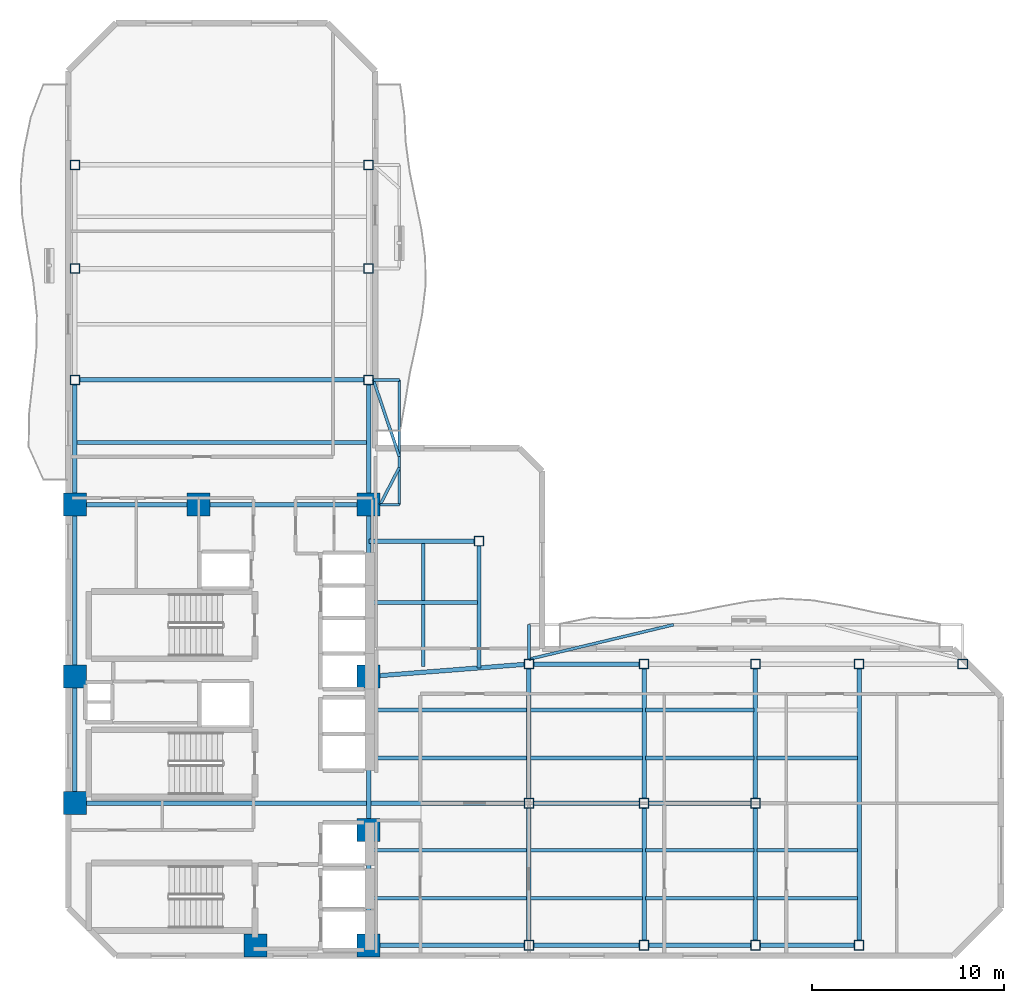
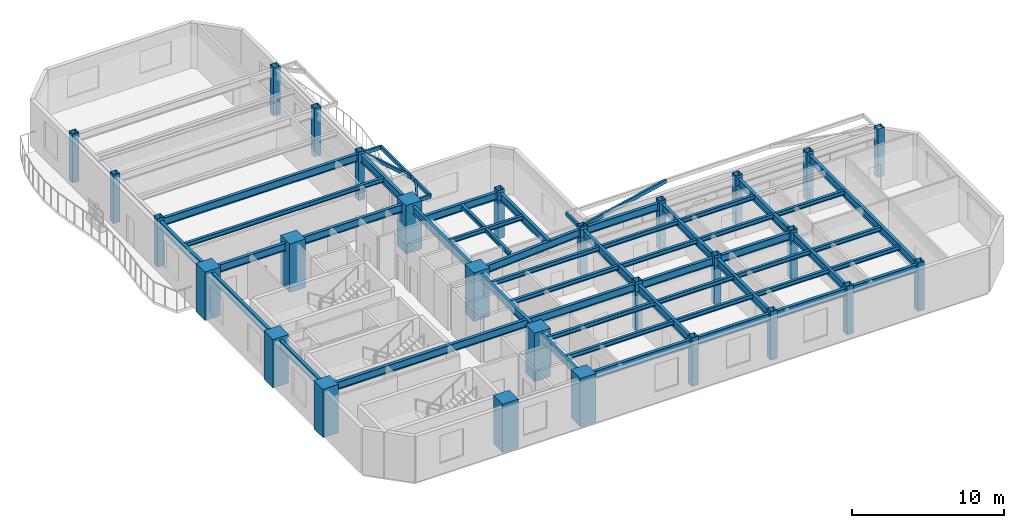
# One storey, part 1 of 9: 53 beams, 28 columns.
"""IFC4 building model written with IfcOpenShell, lengths in metres."""

from ifc_helpers import new_model, si_unit, direction, frame, origin, origin_2d, place, context, subcontext, project, spatial, rectangle, hollow_rectangle, i_section, extrude, material, material_profile, profile_set, type_object, element, save


model = new_model("IFC4")

# Units and contexts
model_context = context("Model", 3, precision=1e-05, world=origin(), true_north=direction((0.0, 1.0)))
body_context = subcontext(model_context, "Body", "Model", "MODEL_VIEW")
ifc_project = project(units=[si_unit("LENGTHUNIT", "METRE"), si_unit("AREAUNIT", "SQUARE_METRE"), si_unit("VOLUMEUNIT", "CUBIC_METRE"), si_unit("PLANEANGLEUNIT", "RADIAN"), si_unit("MASSUNIT", "GRAM", prefix="KILO")], contexts=[model_context])

# Site, building, storey
site_placement = place(None, origin())
site = spatial("IfcSite", under=ifc_project, at=site_placement, CompositionType="ELEMENT")
building_placement = place(site_placement, origin())
building = spatial("IfcBuilding", under=site, at=building_placement, Name="Mawjaban Terraces University", CompositionType="ELEMENT")
storey_placement = place(building_placement, frame((0.0, 0.0, 138.5)))
storey = spatial("IfcBuildingStorey", under=building, at=storey_placement, Name="L33", CompositionType="ELEMENT", Elevation=138.5)

# Columns
ifc_material_1 = material(Name="Concrete C60/75", Category="concrete")
ifc_material_profile_1 = material_profile(ifc_material_1, rectangle(XDim=1.199951171875, YDim=1.199951171875, at=origin_2d()), Name="RC1200X1200")
ifc_profile_set_1 = profile_set([ifc_material_profile_1], Name="Concrete C60/75")
column_type_1 = type_object("IfcColumnType", Name="Col_RC1200X1200", PredefinedType="COLUMN", material=ifc_profile_set_1)
for number, where, z_axis, x_axis, name in (
    (1, (31.75, 0.550048828125, 0.0), (0.0, 0.0, 1.0), (1.0, 0.0, 0.0), "L33 Column CC2"),
    (2, (37.64990234375, 0.550048828125, 0.0), (0.0, 0.0, 1.0), (1.0, 0.0, 0.0), "L33 Column CC3"),
    (3, (22.35009765625, 7.949951171875, 0.0), (0.0, 0.0, 1.0), (1.0, 0.0, 0.0), "L33 Column CC4"),
    (4, (37.64990234375, 6.550048828125, 0.0), (0.0, 0.0, 1.0), (1.0, 0.0, 0.0), "L33 Column CC5"),
    (5, (22.35009765625, 14.550048828125, 0.0), (0.0, 0.0, 1.0), (1.0, 0.0, 0.0), "L33 Column CC6"),
    (6, (37.64990234375, 14.550048828125, 0.0), (0.0, 0.0, 1.0), (1.0, 0.0, 0.0), "L33 Column CC7"),
    (7, (22.35009765625, 23.5, 0.0), (0.0, 0.0, 1.0), (1.0, 0.0, 0.0), "L33 Column CC8"),
    (8, (28.800048828125, 23.5, 0.0), (0.0, 0.0, 1.0), (1.0, 0.0, 0.0), "L33 Column CC9"),
    (9, (37.64990234375, 23.5, 0.0), (0.0, 0.0, 1.0), (1.0, 0.0, 0.0), "L33 Column CC10"),
):
    element("IfcColumn", number, at=place(storey_placement, frame(where, z_axis=z_axis, x_axis=x_axis)), inside=storey, type_object=column_type_1, Name=name, PredefinedType="COLUMN", context=body_context, shape_type="SweptSolid", body=[
        extrude(rectangle(XDim=1.199951171875, YDim=1.199951171875, at=origin_2d()), origin(), (0.0, 0.0, 1.0), 3.89990234375),
    ])
ifc_material_2 = material(Name="Steel EN 10210-1 S355J2H", Category="steel")
ifc_material_profile_2 = material_profile(ifc_material_2, hollow_rectangle(XDim=0.5, YDim=0.5, WallThickness=0.02490234375, at=origin_2d()), Name="SHS500X500X25")
ifc_profile_set_2 = profile_set([ifc_material_profile_2], Name="Steel EN 10210-1 S355J2H")
column_type_2 = type_object("IfcColumnType", Name="Col_SHS500X500X25", PredefinedType="COLUMN", material=ifc_profile_set_2)
for number, where, z_axis, x_axis, name in (
    (10, (46.0, 0.550048828125, 0.0), (0.0, 0.0, 1.0), (1.0, 0.0, 0.0), "L33 Column TE-460-005"),
    (11, (46.0, 7.949951171875, 0.0), (0.0, 0.0, 1.0), (1.0, 0.0, 0.0), "L33 Column TE-460-080"),
    (12, (46.0, 15.199951171875, 0.0), (0.0, 0.0, 1.0), (1.0, 0.0, 0.0), "L33 Column TE-460-152"),
    (13, (52.0, 0.550048828125, 0.0), (0.0, 0.0, 1.0), (1.0, 0.0, 0.0), "L33 Column TE-520-005"),
    (14, (52.0, 7.949951171875, 0.0), (0.0, 0.0, 1.0), (1.0, 0.0, 0.0), "L33 Column TE-520-080"),
    (15, (52.0, 15.199951171875, 0.0), (0.0, 0.0, 1.0), (1.0, 0.0, 0.0), "L33 Column TE-520-152"),
    (16, (57.800048828125, 0.550048828125, 0.0), (0.0, 0.0, 1.0), (1.0, 0.0, 0.0), "L33 Column TE-578-005"),
    (17, (57.800048828125, 7.949951171875, 0.0), (0.0, 0.0, 1.0), (1.0, 0.0, 0.0), "L33 Column TE-578-080"),
    (18, (57.800048828125, 15.199951171875, 0.0), (0.0, 0.0, 1.0), (1.0, 0.0, 0.0), "L33 Column TE-578-152"),
    (19, (63.199951171875, 0.550048828125, 0.0), (0.0, 0.0, 1.0), (1.0, 0.0, 0.0), "L33 Column TE-632-005"),
    (20, (63.199951171875, 15.199951171875, 0.0), (0.0, 0.0, 1.0), (1.0, 0.0, 0.0), "L33 Column TE-632-152"),
    (21, (68.60009765625, 15.199951171875, 0.0), (0.0, 0.0, 1.0), (1.0, 0.0, 0.0), "L33 Column TE-686-152"),
    (22, (22.35009765625, 30.0, 0.0), (0.0, 0.0, 1.0), (1.0, 0.0, 0.0), "L33 Column TN-223-300"),
    (23, (37.64990234375, 30.0, 0.0), (0.0, 0.0, 1.0), (1.0, 0.0, 0.0), "L33 Column TN-376-300"),
    (24, (22.35009765625, 35.800048828125, 0.0), (0.0, 0.0, 1.0), (1.0, 0.0, 0.0), "L33 Column TN-223-358"),
    (25, (37.64990234375, 35.800048828125, 0.0), (0.0, 0.0, 1.0), (1.0, 0.0, 0.0), "L33 Column TN-376-358"),
    (26, (22.35009765625, 41.199951171875, 0.0), (0.0, 0.0, 1.0), (1.0, 0.0, 0.0), "L33 Column TN-223-412"),
    (27, (37.64990234375, 41.199951171875, 0.0), (0.0, 0.0, 1.0), (1.0, 0.0, 0.0), "L33 Column TN-376-412"),
    (28, (43.39990234375, 21.60009765625, 0.0), (0.0, 0.0, 1.0), (1.0, 0.0, 0.0), "L33 Column TS-434-216"),
):
    element("IfcColumn", number, at=place(storey_placement, frame(where, z_axis=z_axis, x_axis=x_axis)), inside=storey, type_object=column_type_2, Name=name, PredefinedType="COLUMN", context=body_context, shape_type="SweptSolid", body=[
        extrude(hollow_rectangle(XDim=0.5, YDim=0.5, WallThickness=0.02490234375, at=origin_2d()), origin(), (0.0, 0.0, 1.0), 3.89990234375),
    ])

# Beams
ifc_material_profile_3 = material_profile(ifc_material_2, hollow_rectangle(XDim=0.14990234375, YDim=0.300048828125, WallThickness=0.012451171875, at=origin_2d()), Name="RHS300X150X12.5")
ifc_profile_set_3 = profile_set([ifc_material_profile_3], Name="Steel EN 10210-1 S355J2H")
beam_type_1 = type_object("IfcBeamType", Name="BalconyCantileverSpandrel_RHS", PredefinedType="SPANDREL", material=ifc_profile_set_3)
beam_1_placement = place(storey_placement, frame((46.0, 15.449951171875, 3.5400390625), z_axis=(0.0, 1.0, 0.0), x_axis=(-1.0, 0.0, 0.0)))
element("IfcBeam", 29, at=beam_1_placement, inside=storey, type_object=beam_type_1, Name="L33 Exterior Outrigger BAL-L34-N.1", PredefinedType="SPANDREL", context=body_context, shape_type="SweptSolid", body=[
    extrude(hollow_rectangle(XDim=0.14990234375, YDim=0.300048828125, WallThickness=0.012451171875, at=origin_2d()), origin(), (0.0, 0.0, 1.0), 1.800048828125),
])
beam_2_placement = place(storey_placement, frame((46.0, 15.449951171875, 3.5400390625), z_axis=(0.972659683036, 0.232235098544, 0.0), x_axis=(-0.232235098544, 0.972659683036, 0.0)))
element("IfcBeam", 30, at=beam_2_placement, inside=storey, type_object=beam_type_1, Name="L33 Exterior Diagonal Strut BAL-L34-N.1", PredefinedType="SPANDREL", context=body_context, shape_type="SweptSolid", body=[
    extrude(hollow_rectangle(XDim=0.14990234375, YDim=0.300048828125, WallThickness=0.012451171875, at=origin_2d()), origin(), (0.0, 0.0, 1.0), 7.7509765625),
])
beam_3_placement = place(storey_placement, frame((38.25, 23.5, 3.5400390625), z_axis=(1.0, 0.0, 0.0), x_axis=(0.0, 1.0, 0.0)))
element("IfcBeam", 31, at=beam_3_placement, inside=storey, type_object=beam_type_1, Name="L33 Exterior Outrigger TER-L34-CLIMB.1", PredefinedType="SPANDREL", context=body_context, shape_type="SweptSolid", body=[
    extrude(hollow_rectangle(XDim=0.14990234375, YDim=0.300048828125, WallThickness=0.012451171875, at=origin_2d()), origin(), (0.0, 0.0, 1.0), 1.0),
])
beam_4_placement = place(storey_placement, frame((37.89990234375, 30.0, 3.5400390625), z_axis=(1.0, 0.0, 0.0), x_axis=(0.0, 1.0, 0.0)))
element("IfcBeam", 32, at=beam_4_placement, inside=storey, type_object=beam_type_1, Name="L33 Exterior Outrigger TER-L34-CLIMB.2", PredefinedType="SPANDREL", context=body_context, shape_type="SweptSolid", body=[
    extrude(hollow_rectangle(XDim=0.14990234375, YDim=0.300048828125, WallThickness=0.012451171875, at=origin_2d()), origin(), (0.0, 0.0, 1.0), 1.35009765625),
])
beam_5_placement = place(storey_placement, frame((39.25, 23.5, 3.5400390625), z_axis=(0.0, 1.0, 0.0), x_axis=(-1.0, 0.0, 0.0)))
element("IfcBeam", 33, at=beam_5_placement, inside=storey, type_object=beam_type_1, Name="L33 Exterior Edge Spandrel TER-L34-CLIMB", PredefinedType="SPANDREL", context=body_context, shape_type="SweptSolid", body=[
    extrude(hollow_rectangle(XDim=0.14990234375, YDim=0.300048828125, WallThickness=0.012451171875, at=origin_2d()), origin(), (0.0, 0.0, 1.0), 6.5),
])
beam_6_placement = place(storey_placement, frame((38.25, 23.5, 3.5400390625), z_axis=(0.459099671829, 0.888384765361, 0.0), x_axis=(-0.888384765361, 0.459099671829, 0.0)))
element("IfcBeam", 34, at=beam_6_placement, inside=storey, type_object=beam_type_1, Name="L33 Exterior Diagonal Strut TER-L34-CLIMB.1", PredefinedType="SPANDREL", context=body_context, shape_type="SweptSolid", body=[
    extrude(hollow_rectangle(XDim=0.14990234375, YDim=0.300048828125, WallThickness=0.012451171875, at=origin_2d()), origin(), (0.0, 0.0, 1.0), 2.17822265625),
])
beam_7_placement = place(storey_placement, frame((37.89990234375, 30.0, 3.5400390625), z_axis=(0.320871678365, -0.947122677388, 0.0), x_axis=(0.947122677388, 0.320871678365, 0.0)))
element("IfcBeam", 35, at=beam_7_placement, inside=storey, type_object=beam_type_1, Name="L33 Exterior Diagonal Strut TER-L34-CLIMB.2", PredefinedType="SPANDREL", context=body_context, shape_type="SweptSolid", body=[
    extrude(hollow_rectangle(XDim=0.14990234375, YDim=0.300048828125, WallThickness=0.012451171875, at=origin_2d()), origin(), (0.0, 0.0, 1.0), 4.20751953125),
])
ifc_material_3 = material(Name="Steel ASTM A572 Grade 50", Category="steel")
ifc_material_profile_4 = material_profile(ifc_material_3, i_section(OverallWidth=0.22998046875, OverallDepth=0.616943359375, WebThickness=0.01318359375, FlangeThickness=0.022216796875, at=origin_2d()), Name="W610X140")
ifc_profile_set_4 = profile_set([ifc_material_profile_4], Name="Steel ASTM A572 Grade 50")
beam_type_2 = type_object("IfcBeamType", Name="Beam_B_W610X140", PredefinedType="BEAM", material=ifc_profile_set_4)
beam_8_placement = place(storey_placement, frame((38.25, 0.550048828125, 3.381103515625), z_axis=(1.0, 0.0, 0.0), x_axis=(0.0, 1.0, 0.0)))
element("IfcBeam", 36, at=beam_8_placement, inside=storey, type_object=beam_type_2, Name="L33 Beam BM-L33-EW-01", PredefinedType="BEAM", context=body_context, shape_type="SweptSolid", body=[
    extrude(i_section(OverallWidth=0.22998046875, OverallDepth=0.616943359375, WebThickness=0.01318359375, FlangeThickness=0.022216796875, at=origin_2d()), origin(), (0.0, 0.0, 1.0), 7.5),
])
beam_9_placement = place(storey_placement, frame((46.25, 0.550048828125, 3.381103515625), z_axis=(1.0, 0.0, 0.0), x_axis=(0.0, 1.0, 0.0)))
element("IfcBeam", 37, at=beam_9_placement, inside=storey, type_object=beam_type_2, Name="L33 Beam BM-L33-EW-02", PredefinedType="BEAM", context=body_context, shape_type="SweptSolid", body=[
    extrude(i_section(OverallWidth=0.22998046875, OverallDepth=0.616943359375, WebThickness=0.01318359375, FlangeThickness=0.022216796875, at=origin_2d()), origin(), (0.0, 0.0, 1.0), 5.5),
])
beam_10_placement = place(storey_placement, frame((52.25, 0.550048828125, 3.381103515625), z_axis=(1.0, 0.0, 0.0), x_axis=(0.0, 1.0, 0.0)))
element("IfcBeam", 38, at=beam_10_placement, inside=storey, type_object=beam_type_2, Name="L33 Beam BM-L33-EW-03", PredefinedType="BEAM", context=body_context, shape_type="SweptSolid", body=[
    extrude(i_section(OverallWidth=0.22998046875, OverallDepth=0.616943359375, WebThickness=0.01318359375, FlangeThickness=0.022216796875, at=origin_2d()), origin(), (0.0, 0.0, 1.0), 5.300048828125),
])
beam_11_placement = place(storey_placement, frame((58.050048828125, 0.550048828125, 3.381103515625), z_axis=(1.0, 0.0, 0.0), x_axis=(0.0, 1.0, 0.0)))
element("IfcBeam", 39, at=beam_11_placement, inside=storey, type_object=beam_type_2, Name="L33 Beam BM-L33-EW-04", PredefinedType="BEAM", context=body_context, shape_type="SweptSolid", body=[
    extrude(i_section(OverallWidth=0.22998046875, OverallDepth=0.616943359375, WebThickness=0.01318359375, FlangeThickness=0.022216796875, at=origin_2d()), origin(), (0.0, 0.0, 1.0), 4.89990234375),
])
beam_12_placement = place(storey_placement, frame((22.949951171875, 7.949951171875, 3.381103515625), z_axis=(1.0, 0.0, 0.0), x_axis=(0.0, 1.0, 0.0)))
element("IfcBeam", 40, at=beam_12_placement, inside=storey, type_object=beam_type_2, Name="L33 Beam BM-L33-EW-05", PredefinedType="BEAM", context=body_context, shape_type="SweptSolid", body=[
    extrude(i_section(OverallWidth=0.22998046875, OverallDepth=0.616943359375, WebThickness=0.01318359375, FlangeThickness=0.022216796875, at=origin_2d()), origin(), (0.0, 0.0, 1.0), 22.800048828125),
])
beam_13_placement = place(storey_placement, frame((46.25, 7.949951171875, 3.381103515625), z_axis=(1.0, 0.0, 0.0), x_axis=(0.0, 1.0, 0.0)))
element("IfcBeam", 41, at=beam_13_placement, inside=storey, type_object=beam_type_2, Name="L33 Beam BM-L33-EW-06", PredefinedType="BEAM", context=body_context, shape_type="SweptSolid", body=[
    extrude(i_section(OverallWidth=0.22998046875, OverallDepth=0.616943359375, WebThickness=0.01318359375, FlangeThickness=0.022216796875, at=origin_2d()), origin(), (0.0, 0.0, 1.0), 5.5),
])
beam_14_placement = place(storey_placement, frame((52.25, 7.949951171875, 3.381103515625), z_axis=(1.0, 0.0, 0.0), x_axis=(0.0, 1.0, 0.0)))
element("IfcBeam", 42, at=beam_14_placement, inside=storey, type_object=beam_type_2, Name="L33 Beam BM-L33-EW-07", PredefinedType="BEAM", context=body_context, shape_type="SweptSolid", body=[
    extrude(i_section(OverallWidth=0.22998046875, OverallDepth=0.616943359375, WebThickness=0.01318359375, FlangeThickness=0.022216796875, at=origin_2d()), origin(), (0.0, 0.0, 1.0), 5.300048828125),
])
beam_15_placement = place(storey_placement, frame((46.25, 15.199951171875, 3.381103515625), z_axis=(1.0, 0.0, 0.0), x_axis=(0.0, 1.0, 0.0)))
element("IfcBeam", 43, at=beam_15_placement, inside=storey, type_object=beam_type_2, Name="L33 Beam BM-L33-EW-08", PredefinedType="BEAM", context=body_context, shape_type="SweptSolid", body=[
    extrude(i_section(OverallWidth=0.22998046875, OverallDepth=0.616943359375, WebThickness=0.01318359375, FlangeThickness=0.022216796875, at=origin_2d()), origin(), (0.0, 0.0, 1.0), 5.5),
])
beam_16_placement = place(storey_placement, frame((22.949951171875, 23.5, 3.381103515625), z_axis=(1.0, 0.0, 0.0), x_axis=(0.0, 1.0, 0.0)))
element("IfcBeam", 44, at=beam_16_placement, inside=storey, type_object=beam_type_2, Name="L33 Beam BM-L33-EW-12", PredefinedType="BEAM", context=body_context, shape_type="SweptSolid", body=[
    extrude(i_section(OverallWidth=0.22998046875, OverallDepth=0.616943359375, WebThickness=0.01318359375, FlangeThickness=0.022216796875, at=origin_2d()), origin(), (0.0, 0.0, 1.0), 5.25),
])
beam_17_placement = place(storey_placement, frame((29.39990234375, 23.5, 3.381103515625), z_axis=(1.0, 0.0, 0.0), x_axis=(0.0, 1.0, 0.0)))
element("IfcBeam", 45, at=beam_17_placement, inside=storey, type_object=beam_type_2, Name="L33 Beam BM-L33-EW-13", PredefinedType="BEAM", context=body_context, shape_type="SweptSolid", body=[
    extrude(i_section(OverallWidth=0.22998046875, OverallDepth=0.616943359375, WebThickness=0.01318359375, FlangeThickness=0.022216796875, at=origin_2d()), origin(), (0.0, 0.0, 1.0), 7.650146484375),
])
beam_18_placement = place(storey_placement, frame((22.60009765625, 30.0, 3.381103515625), z_axis=(1.0, 0.0, 0.0), x_axis=(0.0, 1.0, 0.0)))
element("IfcBeam", 46, at=beam_18_placement, inside=storey, type_object=beam_type_2, Name="L33 Beam BM-L33-EW-14", PredefinedType="BEAM", context=body_context, shape_type="SweptSolid", body=[
    extrude(i_section(OverallWidth=0.22998046875, OverallDepth=0.616943359375, WebThickness=0.01318359375, FlangeThickness=0.022216796875, at=origin_2d()), origin(), (0.0, 0.0, 1.0), 14.7998046875),
])
beam_19_placement = place(storey_placement, frame((22.35009765625, 8.550048828125, 3.381103515625), z_axis=(0.0, 1.0, 0.0), x_axis=(-1.0, 0.0, 0.0)))
element("IfcBeam", 47, at=beam_19_placement, inside=storey, type_object=beam_type_2, Name="L33 Beam BM-L33-NS-01", PredefinedType="BEAM", context=body_context, shape_type="SweptSolid", body=[
    extrude(i_section(OverallWidth=0.22998046875, OverallDepth=0.616943359375, WebThickness=0.01318359375, FlangeThickness=0.022216796875, at=origin_2d()), origin(), (0.0, 0.0, 1.0), 5.39990234375),
])
beam_20_placement = place(storey_placement, frame((22.35009765625, 15.14990234375, 3.381103515625), z_axis=(0.0, 1.0, 0.0), x_axis=(-1.0, 0.0, 0.0)))
element("IfcBeam", 48, at=beam_20_placement, inside=storey, type_object=beam_type_2, Name="L33 Beam BM-L33-NS-02", PredefinedType="BEAM", context=body_context, shape_type="SweptSolid", body=[
    extrude(i_section(OverallWidth=0.22998046875, OverallDepth=0.616943359375, WebThickness=0.01318359375, FlangeThickness=0.022216796875, at=origin_2d()), origin(), (0.0, 0.0, 1.0), 7.75),
])
beam_21_placement = place(storey_placement, frame((22.35009765625, 24.10009765625, 3.381103515625), z_axis=(0.0, 1.0, 0.0), x_axis=(-1.0, 0.0, 0.0)))
element("IfcBeam", 49, at=beam_21_placement, inside=storey, type_object=beam_type_2, Name="L33 Beam BM-L33-NS-03", PredefinedType="BEAM", context=body_context, shape_type="SweptSolid", body=[
    extrude(i_section(OverallWidth=0.22998046875, OverallDepth=0.616943359375, WebThickness=0.01318359375, FlangeThickness=0.022216796875, at=origin_2d()), origin(), (0.0, 0.0, 1.0), 5.64990234375),
])
beam_22_placement = place(storey_placement, frame((37.64990234375, 1.14990234375, 3.381103515625), z_axis=(0.0, 1.0, 0.0), x_axis=(-1.0, 0.0, 0.0)))
element("IfcBeam", 50, at=beam_22_placement, inside=storey, type_object=beam_type_2, Name="L33 Beam BM-L33-NS-06", PredefinedType="BEAM", context=body_context, shape_type="SweptSolid", body=[
    extrude(i_section(OverallWidth=0.22998046875, OverallDepth=0.616943359375, WebThickness=0.01318359375, FlangeThickness=0.022216796875, at=origin_2d()), origin(), (0.0, 0.0, 1.0), 4.800048828125),
])
beam_23_placement = place(storey_placement, frame((37.64990234375, 7.14990234375, 3.381103515625), z_axis=(0.0, 1.0, 0.0), x_axis=(-1.0, 0.0, 0.0)))
element("IfcBeam", 51, at=beam_23_placement, inside=storey, type_object=beam_type_2, Name="L33 Beam BM-L33-NS-07", PredefinedType="BEAM", context=body_context, shape_type="SweptSolid", body=[
    extrude(i_section(OverallWidth=0.22998046875, OverallDepth=0.616943359375, WebThickness=0.01318359375, FlangeThickness=0.022216796875, at=origin_2d()), origin(), (0.0, 0.0, 1.0), 6.800048828125),
])
beam_24_placement = place(storey_placement, frame((37.64990234375, 15.14990234375, 3.381103515625), z_axis=(0.0, 1.0, 0.0), x_axis=(-1.0, 0.0, 0.0)))
element("IfcBeam", 52, at=beam_24_placement, inside=storey, type_object=beam_type_2, Name="L33 Beam BM-L33-NS-08", PredefinedType="BEAM", context=body_context, shape_type="SweptSolid", body=[
    extrude(i_section(OverallWidth=0.22998046875, OverallDepth=0.616943359375, WebThickness=0.01318359375, FlangeThickness=0.022216796875, at=origin_2d()), origin(), (0.0, 0.0, 1.0), 7.75),
])
beam_25_placement = place(storey_placement, frame((37.64990234375, 24.10009765625, 3.381103515625), z_axis=(0.0, 1.0, 0.0), x_axis=(-1.0, 0.0, 0.0)))
element("IfcBeam", 53, at=beam_25_placement, inside=storey, type_object=beam_type_2, Name="L33 Beam BM-L33-NS-09", PredefinedType="BEAM", context=body_context, shape_type="SweptSolid", body=[
    extrude(i_section(OverallWidth=0.22998046875, OverallDepth=0.616943359375, WebThickness=0.01318359375, FlangeThickness=0.022216796875, at=origin_2d()), origin(), (0.0, 0.0, 1.0), 5.64990234375),
])
beam_26_placement = place(storey_placement, frame((46.0, 0.800048828125, 3.381103515625), z_axis=(0.0, 1.0, 0.0), x_axis=(-1.0, 0.0, 0.0)))
element("IfcBeam", 54, at=beam_26_placement, inside=storey, type_object=beam_type_2, Name="L33 Beam BM-L33-NS-12", PredefinedType="BEAM", context=body_context, shape_type="SweptSolid", body=[
    extrude(i_section(OverallWidth=0.22998046875, OverallDepth=0.616943359375, WebThickness=0.01318359375, FlangeThickness=0.022216796875, at=origin_2d()), origin(), (0.0, 0.0, 1.0), 6.89990234375),
])
beam_27_placement = place(storey_placement, frame((46.0, 8.199951171875, 3.381103515625), z_axis=(0.0, 1.0, 0.0), x_axis=(-1.0, 0.0, 0.0)))
element("IfcBeam", 55, at=beam_27_placement, inside=storey, type_object=beam_type_2, Name="L33 Beam BM-L33-NS-13", PredefinedType="BEAM", context=body_context, shape_type="SweptSolid", body=[
    extrude(i_section(OverallWidth=0.22998046875, OverallDepth=0.616943359375, WebThickness=0.01318359375, FlangeThickness=0.022216796875, at=origin_2d()), origin(), (0.0, 0.0, 1.0), 6.75),
])
beam_28_placement = place(storey_placement, frame((52.0, 0.800048828125, 3.381103515625), z_axis=(0.0, 1.0, 0.0), x_axis=(-1.0, 0.0, 0.0)))
element("IfcBeam", 56, at=beam_28_placement, inside=storey, type_object=beam_type_2, Name="L33 Beam BM-L33-NS-14", PredefinedType="BEAM", context=body_context, shape_type="SweptSolid", body=[
    extrude(i_section(OverallWidth=0.22998046875, OverallDepth=0.616943359375, WebThickness=0.01318359375, FlangeThickness=0.022216796875, at=origin_2d()), origin(), (0.0, 0.0, 1.0), 6.89990234375),
])
beam_29_placement = place(storey_placement, frame((52.0, 8.199951171875, 3.381103515625), z_axis=(0.0, 1.0, 0.0), x_axis=(-1.0, 0.0, 0.0)))
element("IfcBeam", 57, at=beam_29_placement, inside=storey, type_object=beam_type_2, Name="L33 Beam BM-L33-NS-15", PredefinedType="BEAM", context=body_context, shape_type="SweptSolid", body=[
    extrude(i_section(OverallWidth=0.22998046875, OverallDepth=0.616943359375, WebThickness=0.01318359375, FlangeThickness=0.022216796875, at=origin_2d()), origin(), (0.0, 0.0, 1.0), 6.75),
])
beam_30_placement = place(storey_placement, frame((57.800048828125, 0.800048828125, 3.381103515625), z_axis=(0.0, 1.0, 0.0), x_axis=(-1.0, 0.0, 0.0)))
element("IfcBeam", 58, at=beam_30_placement, inside=storey, type_object=beam_type_2, Name="L33 Beam BM-L33-NS-16", PredefinedType="BEAM", context=body_context, shape_type="SweptSolid", body=[
    extrude(i_section(OverallWidth=0.22998046875, OverallDepth=0.616943359375, WebThickness=0.01318359375, FlangeThickness=0.022216796875, at=origin_2d()), origin(), (0.0, 0.0, 1.0), 6.89990234375),
])
beam_31_placement = place(storey_placement, frame((57.800048828125, 8.199951171875, 3.381103515625), z_axis=(0.0, 1.0, 0.0), x_axis=(-1.0, 0.0, 0.0)))
element("IfcBeam", 59, at=beam_31_placement, inside=storey, type_object=beam_type_2, Name="L33 Beam BM-L33-NS-17", PredefinedType="BEAM", context=body_context, shape_type="SweptSolid", body=[
    extrude(i_section(OverallWidth=0.22998046875, OverallDepth=0.616943359375, WebThickness=0.01318359375, FlangeThickness=0.022216796875, at=origin_2d()), origin(), (0.0, 0.0, 1.0), 6.75),
])
beam_32_placement = place(storey_placement, frame((63.199951171875, 0.800048828125, 3.381103515625), z_axis=(0.0, 1.0, 0.0), x_axis=(-1.0, 0.0, 0.0)))
element("IfcBeam", 60, at=beam_32_placement, inside=storey, type_object=beam_type_2, Name="L33 Beam BM-L33-NS-18", PredefinedType="BEAM", context=body_context, shape_type="SweptSolid", body=[
    extrude(i_section(OverallWidth=0.22998046875, OverallDepth=0.616943359375, WebThickness=0.01318359375, FlangeThickness=0.022216796875, at=origin_2d()), origin(), (0.0, 0.0, 1.0), 14.14990234375),
])
beam_33_placement = place(storey_placement, frame((38.248046875, 14.596923828125, 3.381103515625), z_axis=(0.996984614132, 0.077599479273, 0.0), x_axis=(-0.077599479273, 0.996984614132, 0.0)))
element("IfcBeam", 61, at=beam_33_placement, inside=storey, type_object=beam_type_2, Name="L33 Beam BM-L33-CTIE", PredefinedType="BEAM", context=body_context, shape_type="SweptSolid", body=[
    extrude(i_section(OverallWidth=0.22998046875, OverallDepth=0.616943359375, WebThickness=0.01318359375, FlangeThickness=0.022216796875, at=origin_2d()), origin(), (0.0, 0.0, 1.0), 7.525634765625),
])
beam_34_placement = place(storey_placement, frame((37.679931640625, 21.60009765625, 3.381103515625), z_axis=(1.0, 0.0, 0.0), x_axis=(0.0, 1.0, 0.0)))
element("IfcBeam", 62, at=beam_34_placement, inside=storey, type_object=beam_type_2, Name="L33 Spur Tie Girder West", PredefinedType="BEAM", context=body_context, shape_type="SweptSolid", body=[
    extrude(i_section(OverallWidth=0.22998046875, OverallDepth=0.616943359375, WebThickness=0.01318359375, FlangeThickness=0.022216796875, at=origin_2d()), origin(), (0.0, 0.0, 1.0), 5.469970703125),
])
beam_35_placement = place(storey_placement, frame((43.39990234375, 15.0, 3.381103515625), z_axis=(0.0, 1.0, 0.0), x_axis=(-1.0, 0.0, 0.0)))
element("IfcBeam", 63, at=beam_35_placement, inside=storey, type_object=beam_type_2, Name="L33 Spur Tie Girder South", PredefinedType="BEAM", context=body_context, shape_type="SweptSolid", body=[
    extrude(i_section(OverallWidth=0.22998046875, OverallDepth=0.616943359375, WebThickness=0.01318359375, FlangeThickness=0.022216796875, at=origin_2d()), origin(), (0.0, 0.0, 1.0), 6.35009765625),
])
ifc_material_profile_5 = material_profile(ifc_material_3, i_section(OverallWidth=0.202880859375, OverallDepth=0.346923828125, WebThickness=0.0078125, FlangeThickness=0.013427734375, at=origin_2d()), Name="W360X64")
ifc_profile_set_5 = profile_set([ifc_material_profile_5], Name="Steel ASTM A572 Grade 50")
beam_type_3 = type_object("IfcBeamType", Name="Beam_J_W360X64", PredefinedType="JOIST", material=ifc_profile_set_5)
beam_36_placement = place(storey_placement, frame((37.72998046875, 3.0, 3.51708984375), z_axis=(1.0, 0.0, 0.0), x_axis=(0.0, 1.0, 0.0)))
element("IfcBeam", 64, at=beam_36_placement, inside=storey, type_object=beam_type_3, Name="L33 Composite Joist JST-L33-01", PredefinedType="JOIST", context=body_context, shape_type="SweptSolid", body=[
    extrude(i_section(OverallWidth=0.202880859375, OverallDepth=0.346923828125, WebThickness=0.0078125, FlangeThickness=0.013427734375, at=origin_2d()), origin(), (0.0, 0.0, 1.0), 8.18994140625),
])
beam_37_placement = place(storey_placement, frame((46.080078125, 3.0, 3.51708984375), z_axis=(1.0, 0.0, 0.0), x_axis=(0.0, 1.0, 0.0)))
element("IfcBeam", 65, at=beam_37_placement, inside=storey, type_object=beam_type_3, Name="L33 Composite Joist JST-L33-02", PredefinedType="JOIST", context=body_context, shape_type="SweptSolid", body=[
    extrude(i_section(OverallWidth=0.202880859375, OverallDepth=0.346923828125, WebThickness=0.0078125, FlangeThickness=0.013427734375, at=origin_2d()), origin(), (0.0, 0.0, 1.0), 5.83984375),
])
beam_38_placement = place(storey_placement, frame((52.080078125, 3.0, 3.51708984375), z_axis=(1.0, 0.0, 0.0), x_axis=(0.0, 1.0, 0.0)))
element("IfcBeam", 66, at=beam_38_placement, inside=storey, type_object=beam_type_3, Name="L33 Composite Joist JST-L33-03", PredefinedType="JOIST", context=body_context, shape_type="SweptSolid", body=[
    extrude(i_section(OverallWidth=0.202880859375, OverallDepth=0.346923828125, WebThickness=0.0078125, FlangeThickness=0.013427734375, at=origin_2d()), origin(), (0.0, 0.0, 1.0), 5.639892578125),
])
beam_39_placement = place(storey_placement, frame((57.8798828125, 3.0, 3.51708984375), z_axis=(1.0, 0.0, 0.0), x_axis=(0.0, 1.0, 0.0)))
element("IfcBeam", 67, at=beam_39_placement, inside=storey, type_object=beam_type_3, Name="L33 Composite Joist JST-L33-04", PredefinedType="JOIST", context=body_context, shape_type="SweptSolid", body=[
    extrude(i_section(OverallWidth=0.202880859375, OverallDepth=0.346923828125, WebThickness=0.0078125, FlangeThickness=0.013427734375, at=origin_2d()), origin(), (0.0, 0.0, 1.0), 5.240234375),
])
beam_40_placement = place(storey_placement, frame((37.72998046875, 5.5, 3.51708984375), z_axis=(1.0, 0.0, 0.0), x_axis=(0.0, 1.0, 0.0)))
element("IfcBeam", 68, at=beam_40_placement, inside=storey, type_object=beam_type_3, Name="L33 Composite Joist JST-L33-05", PredefinedType="JOIST", context=body_context, shape_type="SweptSolid", body=[
    extrude(i_section(OverallWidth=0.202880859375, OverallDepth=0.346923828125, WebThickness=0.0078125, FlangeThickness=0.013427734375, at=origin_2d()), origin(), (0.0, 0.0, 1.0), 8.18994140625),
])
beam_41_placement = place(storey_placement, frame((46.080078125, 5.5, 3.51708984375), z_axis=(1.0, 0.0, 0.0), x_axis=(0.0, 1.0, 0.0)))
element("IfcBeam", 69, at=beam_41_placement, inside=storey, type_object=beam_type_3, Name="L33 Composite Joist JST-L33-06", PredefinedType="JOIST", context=body_context, shape_type="SweptSolid", body=[
    extrude(i_section(OverallWidth=0.202880859375, OverallDepth=0.346923828125, WebThickness=0.0078125, FlangeThickness=0.013427734375, at=origin_2d()), origin(), (0.0, 0.0, 1.0), 5.83984375),
])
beam_42_placement = place(storey_placement, frame((52.080078125, 5.5, 3.51708984375), z_axis=(1.0, 0.0, 0.0), x_axis=(0.0, 1.0, 0.0)))
element("IfcBeam", 70, at=beam_42_placement, inside=storey, type_object=beam_type_3, Name="L33 Composite Joist JST-L33-07", PredefinedType="JOIST", context=body_context, shape_type="SweptSolid", body=[
    extrude(i_section(OverallWidth=0.202880859375, OverallDepth=0.346923828125, WebThickness=0.0078125, FlangeThickness=0.013427734375, at=origin_2d()), origin(), (0.0, 0.0, 1.0), 5.639892578125),
])
beam_43_placement = place(storey_placement, frame((57.8798828125, 5.5, 3.51708984375), z_axis=(1.0, 0.0, 0.0), x_axis=(0.0, 1.0, 0.0)))
element("IfcBeam", 71, at=beam_43_placement, inside=storey, type_object=beam_type_3, Name="L33 Composite Joist JST-L33-08", PredefinedType="JOIST", context=body_context, shape_type="SweptSolid", body=[
    extrude(i_section(OverallWidth=0.202880859375, OverallDepth=0.346923828125, WebThickness=0.0078125, FlangeThickness=0.013427734375, at=origin_2d()), origin(), (0.0, 0.0, 1.0), 5.240234375),
])
beam_44_placement = place(storey_placement, frame((37.72998046875, 10.300048828125, 3.51708984375), z_axis=(1.0, 0.0, 0.0), x_axis=(0.0, 1.0, 0.0)))
element("IfcBeam", 72, at=beam_44_placement, inside=storey, type_object=beam_type_3, Name="L33 Composite Joist JST-L33-09", PredefinedType="JOIST", context=body_context, shape_type="SweptSolid", body=[
    extrude(i_section(OverallWidth=0.202880859375, OverallDepth=0.346923828125, WebThickness=0.0078125, FlangeThickness=0.013427734375, at=origin_2d()), origin(), (0.0, 0.0, 1.0), 8.18994140625),
])
beam_45_placement = place(storey_placement, frame((46.080078125, 10.300048828125, 3.51708984375), z_axis=(1.0, 0.0, 0.0), x_axis=(0.0, 1.0, 0.0)))
element("IfcBeam", 73, at=beam_45_placement, inside=storey, type_object=beam_type_3, Name="L33 Composite Joist JST-L33-10", PredefinedType="JOIST", context=body_context, shape_type="SweptSolid", body=[
    extrude(i_section(OverallWidth=0.202880859375, OverallDepth=0.346923828125, WebThickness=0.0078125, FlangeThickness=0.013427734375, at=origin_2d()), origin(), (0.0, 0.0, 1.0), 5.83984375),
])
beam_46_placement = place(storey_placement, frame((52.080078125, 10.300048828125, 3.51708984375), z_axis=(1.0, 0.0, 0.0), x_axis=(0.0, 1.0, 0.0)))
element("IfcBeam", 74, at=beam_46_placement, inside=storey, type_object=beam_type_3, Name="L33 Composite Joist JST-L33-11", PredefinedType="JOIST", context=body_context, shape_type="SweptSolid", body=[
    extrude(i_section(OverallWidth=0.202880859375, OverallDepth=0.346923828125, WebThickness=0.0078125, FlangeThickness=0.013427734375, at=origin_2d()), origin(), (0.0, 0.0, 1.0), 5.639892578125),
])
beam_47_placement = place(storey_placement, frame((57.8798828125, 10.300048828125, 3.51708984375), z_axis=(1.0, 0.0, 0.0), x_axis=(0.0, 1.0, 0.0)))
element("IfcBeam", 75, at=beam_47_placement, inside=storey, type_object=beam_type_3, Name="L33 Composite Joist JST-L33-12", PredefinedType="JOIST", context=body_context, shape_type="SweptSolid", body=[
    extrude(i_section(OverallWidth=0.202880859375, OverallDepth=0.346923828125, WebThickness=0.0078125, FlangeThickness=0.013427734375, at=origin_2d()), origin(), (0.0, 0.0, 1.0), 5.240234375),
])
beam_48_placement = place(storey_placement, frame((37.72998046875, 12.800048828125, 3.51708984375), z_axis=(1.0, 0.0, 0.0), x_axis=(0.0, 1.0, 0.0)))
element("IfcBeam", 76, at=beam_48_placement, inside=storey, type_object=beam_type_3, Name="L33 Composite Joist JST-L33-13", PredefinedType="JOIST", context=body_context, shape_type="SweptSolid", body=[
    extrude(i_section(OverallWidth=0.202880859375, OverallDepth=0.346923828125, WebThickness=0.0078125, FlangeThickness=0.013427734375, at=origin_2d()), origin(), (0.0, 0.0, 1.0), 8.18994140625),
])
beam_49_placement = place(storey_placement, frame((46.080078125, 12.800048828125, 3.51708984375), z_axis=(1.0, 0.0, 0.0), x_axis=(0.0, 1.0, 0.0)))
element("IfcBeam", 77, at=beam_49_placement, inside=storey, type_object=beam_type_3, Name="L33 Composite Joist JST-L33-14", PredefinedType="JOIST", context=body_context, shape_type="SweptSolid", body=[
    extrude(i_section(OverallWidth=0.202880859375, OverallDepth=0.346923828125, WebThickness=0.0078125, FlangeThickness=0.013427734375, at=origin_2d()), origin(), (0.0, 0.0, 1.0), 5.83984375),
])
beam_50_placement = place(storey_placement, frame((52.080078125, 12.800048828125, 3.51708984375), z_axis=(1.0, 0.0, 0.0), x_axis=(0.0, 1.0, 0.0)))
element("IfcBeam", 78, at=beam_50_placement, inside=storey, type_object=beam_type_3, Name="L33 Composite Joist JST-L33-15", PredefinedType="JOIST", context=body_context, shape_type="SweptSolid", body=[
    extrude(i_section(OverallWidth=0.202880859375, OverallDepth=0.346923828125, WebThickness=0.0078125, FlangeThickness=0.013427734375, at=origin_2d()), origin(), (0.0, 0.0, 1.0), 5.639892578125),
])
beam_51_placement = place(storey_placement, frame((37.72998046875, 18.39990234375, 3.51708984375), z_axis=(1.0, 0.0, 0.0), x_axis=(0.0, 1.0, 0.0)))
element("IfcBeam", 79, at=beam_51_placement, inside=storey, type_object=beam_type_3, Name="L33 Composite Joist JST-L33-17", PredefinedType="JOIST", context=body_context, shape_type="SweptSolid", body=[
    extrude(i_section(OverallWidth=0.202880859375, OverallDepth=0.346923828125, WebThickness=0.0078125, FlangeThickness=0.013427734375, at=origin_2d()), origin(), (0.0, 0.0, 1.0), 5.590087890625),
])
beam_52_placement = place(storey_placement, frame((22.429931640625, 26.75, 3.51708984375), z_axis=(1.0, 0.0, 0.0), x_axis=(0.0, 1.0, 0.0)))
element("IfcBeam", 80, at=beam_52_placement, inside=storey, type_object=beam_type_3, Name="L33 Composite Joist JST-L33-18", PredefinedType="JOIST", context=body_context, shape_type="SweptSolid", body=[
    extrude(i_section(OverallWidth=0.202880859375, OverallDepth=0.346923828125, WebThickness=0.0078125, FlangeThickness=0.013427734375, at=origin_2d()), origin(), (0.0, 0.0, 1.0), 15.14013671875),
])
beam_53_placement = place(storey_placement, frame((40.5, 15.080078125, 3.51708984375), z_axis=(0.0, 1.0, 0.0), x_axis=(-1.0, 0.0, 0.0)))
element("IfcBeam", 81, at=beam_53_placement, inside=storey, type_object=beam_type_3, Name="L33 Composite Joist JST-L33-NS-21", PredefinedType="JOIST", context=body_context, shape_type="SweptSolid", body=[
    extrude(i_section(OverallWidth=0.202880859375, OverallDepth=0.346923828125, WebThickness=0.0078125, FlangeThickness=0.013427734375, at=origin_2d()), origin(), (0.0, 0.0, 1.0), 6.43994140625),
])

save(model, "model.ifc")
